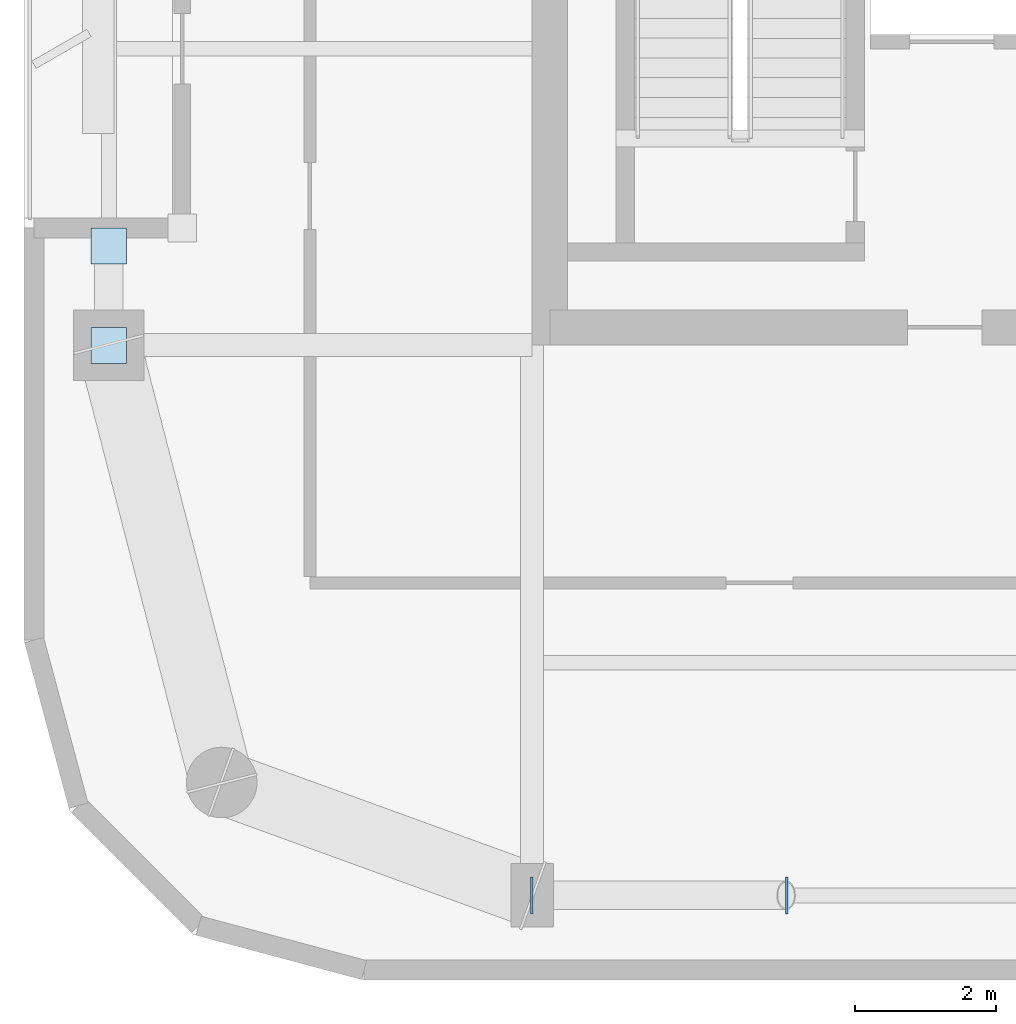
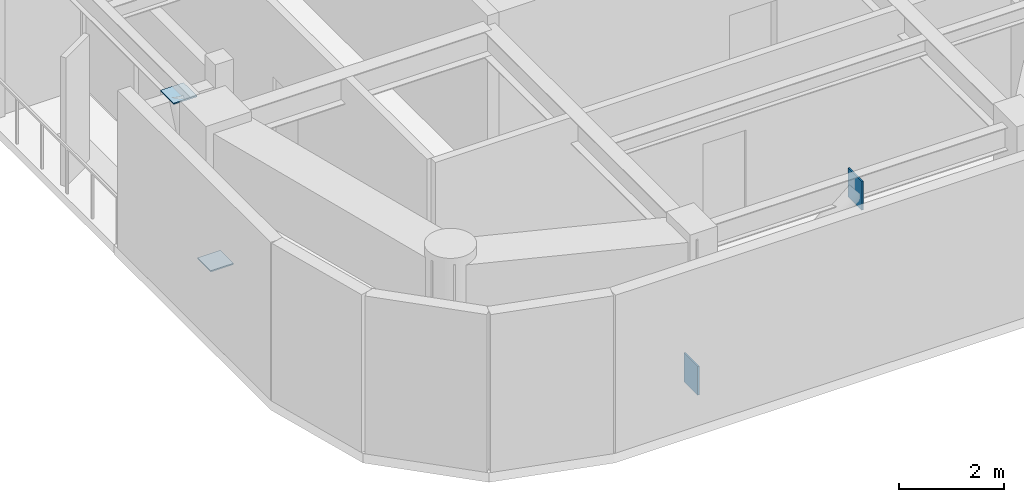
# One storey, part 8 of 15: 4 plates.
"""IFC4 building model written with IfcOpenShell, lengths in metres."""

from ifc_helpers import new_model, si_unit, direction, frame, origin, origin_2d, place, context, subcontext, project, spatial, rectangle, extrude, material, layer, layer_set, type_object, element, save


model = new_model("IFC4")

# Units and contexts
model_context = context("Model", 3, precision=1e-05, world=origin(), true_north=direction((0.0, 1.0)))
body_context = subcontext(model_context, "Body", "Model", "MODEL_VIEW")
ifc_project = project(units=[si_unit("LENGTHUNIT", "METRE"), si_unit("AREAUNIT", "SQUARE_METRE"), si_unit("VOLUMEUNIT", "CUBIC_METRE"), si_unit("PLANEANGLEUNIT", "RADIAN"), si_unit("MASSUNIT", "GRAM", prefix="KILO")], contexts=[model_context])

# Site, building, storey
site_placement = place(None, origin())
site = spatial("IfcSite", under=ifc_project, at=site_placement, CompositionType="ELEMENT")
building_placement = place(site_placement, origin())
building = spatial("IfcBuilding", under=site, at=building_placement, Name="Kiyonajd Concourse Tower", CompositionType="ELEMENT")
storey_placement = place(building_placement, frame((0.0, 0.0, 290.10009765625)))
storey = spatial("IfcBuildingStorey", under=building, at=storey_placement, Name="L73", CompositionType="ELEMENT", Elevation=290.10009765625)

# Plates
ifc_material = material(Name="Steel ASTM A572 Grade 50", Category="steel")
ifc_layer = layer(ifc_material, 0.028076171875)
ifc_layer_set = layer_set([ifc_layer], Name="Steel ASTM A572 Grade 50")
plate_type = type_object("IfcPlateType", Name="PL-CAP-450", PredefinedType="USERDEFINED", material=ifc_layer_set)
for number, where, z_axis, x_axis, name in (
    (1, (32.3916015625, 19.800048828125, -0.042724609375), (0.0, 0.0, 1.0), (-1.0, 0.0, 0.0), "L73 Hollow Brace End Cap Plate PBS"),
    (2, (36.00830078125, 19.800048828125, 3.00146484375), (0.0, 0.0, 1.0), (1.0, 0.0, 0.0), "L73 Hollow Brace Top Cap Plate PBS"),
):
    element("IfcPlate", number, at=place(storey_placement, frame(where, z_axis=z_axis, x_axis=x_axis)), inside=storey, type_object=plate_type, Name=name, ObjectType="CAP PLATE", PredefinedType="USERDEFINED", context=body_context, shape_type="SweptSolid", body=[
        extrude(rectangle(XDim=0.035888671875, YDim=0.52587890625, at=origin_2d()), origin(), (0.0, 0.0, 1.0), 0.6708984375),
    ])
for number, where, z_axis, x_axis, name in (
    (3, (26.39990234375, 27.595458984375, 0.27587890625), (0.0, 0.0, 1.0), (1.0, 0.0, 0.0), "L73 Hollow Brace End Cap Plate PBW"),
    (4, (26.39990234375, 29.004638671875, 3.32568359375), (0.0, 0.0, 1.0), (1.0, 0.0, 0.0), "L73 Hollow Brace Top Cap Plate PBW"),
):
    element("IfcPlate", number, at=place(storey_placement, frame(where, z_axis=z_axis, x_axis=x_axis)), inside=storey, type_object=plate_type, Name=name, ObjectType="CAP PLATE", PredefinedType="USERDEFINED", context=body_context, shape_type="SweptSolid", body=[
        extrude(rectangle(XDim=0.506103515625, YDim=0.506103515625, at=origin_2d()), origin(), (0.0, 0.0, 1.0), 0.028076171875),
    ])

save(model, "model.ifc")
